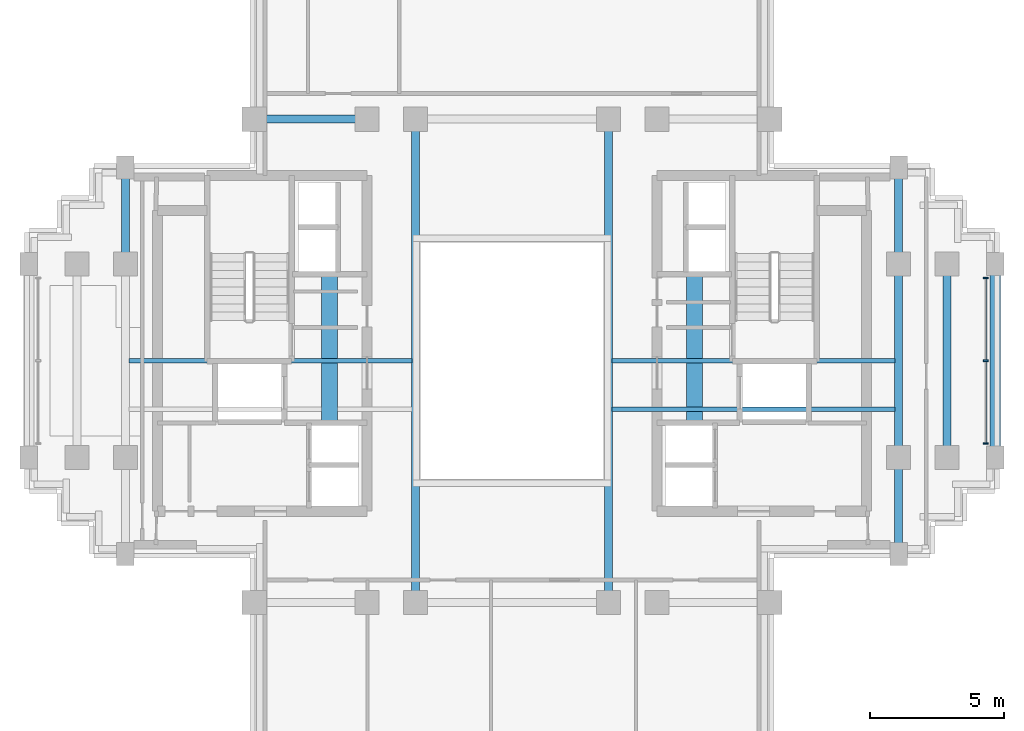
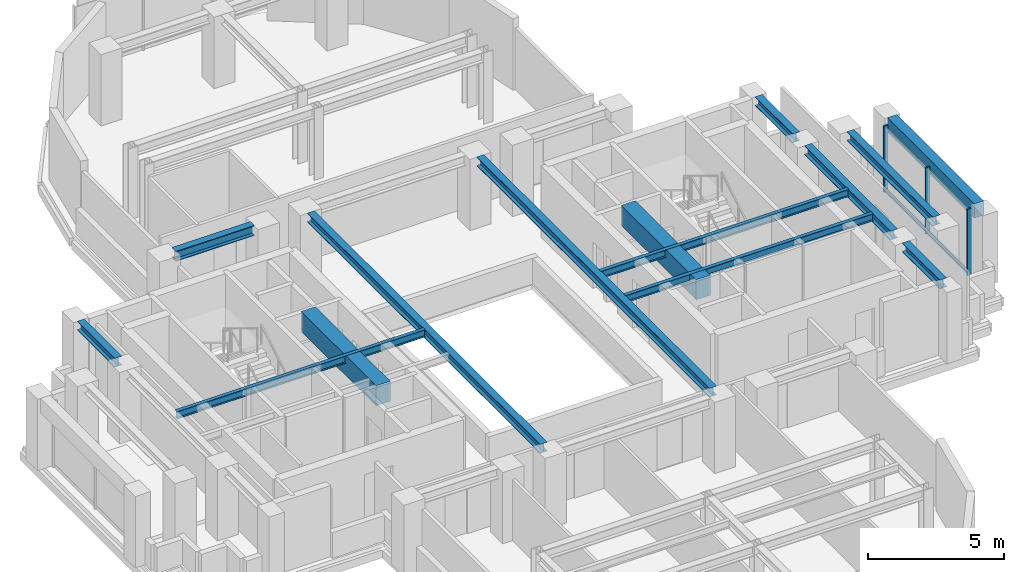
# One storey, part 3 of 11: 14 beams, 5 members, 1 element without a shape of its own.
"""IFC4 building model written with IfcOpenShell, lengths in metres."""

from ifc_helpers import new_model, si_unit, direction, frame, origin, origin_2d, place, context, subcontext, project, spatial, rectangle, i_section, extrude, source, transform, mapped, material, material_profile, profile_set, type_object, element, aggregate, save


model = new_model("IFC4")

# Units and contexts
model_context = context("Model", 3, precision=1e-05, world=origin(), true_north=direction((0.0, 1.0)))
body_context = subcontext(model_context, "Body", "Model", "MODEL_VIEW")
ifc_project = project(units=[si_unit("LENGTHUNIT", "METRE"), si_unit("AREAUNIT", "SQUARE_METRE"), si_unit("VOLUMEUNIT", "CUBIC_METRE"), si_unit("PLANEANGLEUNIT", "RADIAN"), si_unit("MASSUNIT", "GRAM", prefix="KILO")], contexts=[model_context])

# Site, building, storey
site_placement = place(None, origin())
site = spatial("IfcSite", under=ifc_project, at=site_placement, CompositionType="ELEMENT")
building_placement = place(site_placement, origin())
building = spatial("IfcBuilding", under=site, at=building_placement, Name="Keilestroom Media Tower", CompositionType="ELEMENT")
storey_placement = place(building_placement, frame((0.0, 0.0, 160.39990234375)))
storey = spatial("IfcBuildingStorey", under=building, at=storey_placement, Name="L43", CompositionType="ELEMENT", Elevation=160.39990234375)

# Beams
ifc_material_1 = material(Name="Concrete C70/85", Category="concrete")
ifc_material_profile_1 = material_profile(ifc_material_1, rectangle(XDim=0.60009765625, YDim=0.89990234375, at=origin_2d()), Name="RC 600x900")
ifc_profile_set_1 = profile_set([ifc_material_profile_1], Name="Concrete C70/85")
beam_type_1 = type_object("IfcBeamType", Name="Core-Coupling-Lintel-Beam-RC-600x900", PredefinedType="LINTEL", material=ifc_profile_set_1)
shared_shape_1 = source(origin(), body_context, "Body", "SweptSolid", [
    extrude(rectangle(XDim=0.60009765625, YDim=0.89990234375, at=origin_2d()), origin(), (0.0, 0.0, 1.0), 5.52001953125),
])
for number, where, z_axis, x_axis, name in (
    (1, (-6.800048828125, -2.300048828125, 2.75), (0.0, 1.0, 0.0), (-1.0, 0.0, 0.0), "L43 Beam CLB-1 CLB-L43-W"),
    (2, (6.800048828125, -2.300048828125, 2.75), (0.0, 1.0, 0.0), (-1.0, 0.0, 0.0), "L43 Beam CLB-1 CLB-L43-E"),
):
    element("IfcBeam", number, at=place(storey_placement, frame(where, z_axis=z_axis, x_axis=x_axis)), inside=storey, type_object=beam_type_1, Name=name, PredefinedType="LINTEL", context=body_context, shape_type="MappedRepresentation", body=[
        mapped(shared_shape_1, transform((0.0, 0.0, 0.0), x_axis=(1.0, 0.0, 0.0), y_axis=(0.0, 1.0, 0.0), z_axis=(0.0, 0.0, 1.0), scale=1.0)),
    ])
ifc_material_2 = material(Name="Steel S355", Category="steel")
ifc_material_profile_2 = material_profile(ifc_material_2, i_section(OverallWidth=0.300048828125, OverallDepth=0.449951171875, WebThickness=0.011962890625, FlangeThickness=0.02587890625, at=origin_2d()), Name="HEB 450")
ifc_profile_set_2 = profile_set([ifc_material_profile_2], Name="Steel S355")
beam_type_2 = type_object("IfcBeamType", Name="Primary-Structural-Girder-HEB-450", PredefinedType="BEAM", material=ifc_profile_set_2)
shared_shape_2 = source(origin(), body_context, "Body", "SweptSolid", [
    extrude(i_section(OverallWidth=0.300048828125, OverallDepth=0.449951171875, WebThickness=0.011962890625, FlangeThickness=0.02587890625, at=origin_2d()), origin(), (0.0, 0.0, 1.0), 3.33984375),
])
beam_1_placement = place(storey_placement, frame((-9.169921875, 9.0, 2.97509765625), z_axis=(1.0, 0.0, 0.0), x_axis=(0.0, 1.0, 0.0)))
element("IfcBeam", 3, at=beam_1_placement, inside=storey, type_object=beam_type_2, Name="L43 Beam BG-7 BM-L43-EW-020", PredefinedType="BEAM", context=body_context, shape_type="MappedRepresentation", body=[
    mapped(shared_shape_2, transform((0.0, 0.0, 0.0), x_axis=(1.0, 0.0, 0.0), y_axis=(0.0, 1.0, 0.0), z_axis=(0.0, 0.0, 1.0), scale=1.0)),
])
ifc_material_3 = material(Name="Precast concrete C40/50", Category="concrete")
ifc_material_profile_3 = material_profile(ifc_material_3, rectangle(XDim=0.39990234375, YDim=0.64990234375, at=origin_2d()), Name="PC 400x650")
ifc_profile_set_3 = profile_set([ifc_material_profile_3], Name="Precast concrete C40/50")
beam_type_3 = type_object("IfcBeamType", Name="Perimeter-Spandrel-Beam-PC-400x650", PredefinedType="SPANDREL", material=ifc_profile_set_3)
shared_shape_3 = source(origin(), body_context, "Body", "SweptSolid", [
    extrude(rectangle(XDim=0.39990234375, YDim=0.64990234375, at=origin_2d()), origin(), (0.0, 0.0, 1.0), 6.39013671875),
])
beam_2_placement = place(storey_placement, frame((18.0, -3.195068359375, 2.875), z_axis=(0.0, 1.0, 0.0), x_axis=(-1.0, 0.0, 0.0)))
element("IfcBeam", 4, at=beam_2_placement, inside=storey, type_object=beam_type_3, Name="L43 Beam SPB-2 BM-L43-NS-054", PredefinedType="SPANDREL", context=body_context, shape_type="MappedRepresentation", body=[
    mapped(shared_shape_3, transform((0.0, 0.0, 0.0), x_axis=(1.0, 0.0, 0.0), y_axis=(0.0, 1.0, 0.0), z_axis=(0.0, 0.0, 1.0), scale=1.0)),
])
ifc_material_profile_4 = material_profile(ifc_material_2, i_section(OverallWidth=0.300048828125, OverallDepth=0.39990234375, WebThickness=0.011474609375, FlangeThickness=0.02392578125, at=origin_2d()), Name="HEB 400")
ifc_profile_set_4 = profile_set([ifc_material_profile_4], Name="Steel S355")
beam_type_4 = type_object("IfcBeamType", Name="Primary-Structural-Girder-HEB-400", PredefinedType="BEAM", material=ifc_profile_set_4)
shared_shape_4 = source(origin(), body_context, "Body", "SweptSolid", [
    extrude(i_section(OverallWidth=0.300048828125, OverallDepth=0.39990234375, WebThickness=0.011474609375, FlangeThickness=0.02392578125, at=origin_2d()), origin(), (0.0, 0.0, 1.0), 6.33984375),
])
for number, where, z_axis, x_axis, name in (
    (5, (14.39990234375, -3.169921875, 3.0), (0.0, 1.0, 0.0), (-1.0, 0.0, 0.0), "L43 Beam BG-8 BM-L43-NS-051"),
    (6, (16.199951171875, -3.169921875, 3.0), (0.0, 1.0, 0.0), (-1.0, 0.0, 0.0), "L43 Beam BG-8 BM-L43-NS-053"),
):
    element("IfcBeam", number, at=place(storey_placement, frame(where, z_axis=z_axis, x_axis=x_axis)), inside=storey, type_object=beam_type_4, Name=name, PredefinedType="BEAM", context=body_context, shape_type="MappedRepresentation", body=[
        mapped(shared_shape_4, transform((0.0, 0.0, 0.0), x_axis=(1.0, 0.0, 0.0), y_axis=(0.0, 1.0, 0.0), z_axis=(0.0, 0.0, 1.0), scale=1.0)),
    ])
shared_shape_5 = source(origin(), body_context, "Body", "SweptSolid", [
    extrude(i_section(OverallWidth=0.300048828125, OverallDepth=0.39990234375, WebThickness=0.011474609375, FlangeThickness=0.02392578125, at=origin_2d()), origin(), (0.0, 0.0, 1.0), 2.764892578125),
])
for number, where, z_axis, x_axis, name in (
    (7, (-14.39990234375, 4.030029296875, 3.0), (0.0, 1.0, 0.0), (-1.0, 0.0, 0.0), "L43 Beam BG-8 BM-L43-NS-035"),
    (8, (14.39990234375, -6.794921875, 3.0), (0.0, 1.0, 0.0), (-1.0, 0.0, 0.0), "L43 Beam BG-8 BM-L43-NS-050"),
    (9, (14.39990234375, 4.030029296875, 3.0), (0.0, 1.0, 0.0), (-1.0, 0.0, 0.0), "L43 Beam BG-8 BM-L43-NS-052"),
):
    element("IfcBeam", number, at=place(storey_placement, frame(where, z_axis=z_axis, x_axis=x_axis)), inside=storey, type_object=beam_type_4, Name=name, PredefinedType="BEAM", context=body_context, shape_type="MappedRepresentation", body=[
        mapped(shared_shape_5, transform((0.0, 0.0, 0.0), x_axis=(1.0, 0.0, 0.0), y_axis=(0.0, 1.0, 0.0), z_axis=(0.0, 0.0, 1.0), scale=1.0)),
    ])
shared_shape_6 = source(origin(), body_context, "Body", "SweptSolid", [
    extrude(i_section(OverallWidth=0.300048828125, OverallDepth=0.39990234375, WebThickness=0.011474609375, FlangeThickness=0.02392578125, at=origin_2d()), origin(), (0.0, 0.0, 1.0), 17.14013671875),
])
for number, where, z_axis, x_axis, name in (
    (10, (-3.60009765625, -8.570068359375, 3.0), (0.0, 1.0, 0.0), (-1.0, 0.0, 0.0), "L43 Beam BG-8 BM-L43-NS-040"),
    (11, (3.60009765625, -8.570068359375, 3.0), (0.0, 1.0, 0.0), (-1.0, 0.0, 0.0), "L43 Beam BG-8 BM-L43-NS-045"),
):
    element("IfcBeam", number, at=place(storey_placement, frame(where, z_axis=z_axis, x_axis=x_axis)), inside=storey, type_object=beam_type_4, Name=name, PredefinedType="BEAM", context=body_context, shape_type="MappedRepresentation", body=[
        mapped(shared_shape_6, transform((0.0, 0.0, 0.0), x_axis=(1.0, 0.0, 0.0), y_axis=(0.0, 1.0, 0.0), z_axis=(0.0, 0.0, 1.0), scale=1.0)),
    ])
ifc_material_profile_5 = material_profile(ifc_material_2, i_section(OverallWidth=0.159912109375, OverallDepth=0.330078125, WebThickness=0.007568359375, FlangeThickness=0.011474609375, at=origin_2d()), Name="IPE 330")
ifc_profile_set_5 = profile_set([ifc_material_profile_5], Name="Steel S355")
beam_type_5 = type_object("IfcBeamType", Name="Secondary-Floor-Joist-IPE-330", PredefinedType="JOIST", material=ifc_profile_set_5)
shared_shape_7 = source(origin(), body_context, "Body", "SweptSolid", [
    extrude(i_section(OverallWidth=0.159912109375, OverallDepth=0.330078125, WebThickness=0.007568359375, FlangeThickness=0.011474609375, at=origin_2d()), origin(), (0.0, 0.0, 1.0), 10.5400390625),
])
for number, where, z_axis, x_axis, name in (
    (12, (3.72998046875, -1.800048828125, 3.03515625), (1.0, 0.0, 0.0), (0.0, 1.0, 0.0), "L43 Beam BJ-6 JST-L43-059"),
    (13, (-14.27001953125, 0.0, 3.03515625), (1.0, 0.0, 0.0), (0.0, 1.0, 0.0), "L43 Beam BJ-6 JST-L43-060"),
    (14, (3.72998046875, 0.0, 3.03515625), (1.0, 0.0, 0.0), (0.0, 1.0, 0.0), "L43 Beam BJ-6 JST-L43-062"),
):
    element("IfcBeam", number, at=place(storey_placement, frame(where, z_axis=z_axis, x_axis=x_axis)), inside=storey, type_object=beam_type_5, Name=name, PredefinedType="JOIST", context=body_context, shape_type="MappedRepresentation", body=[
        mapped(shared_shape_7, transform((0.0, 0.0, 0.0), x_axis=(1.0, 0.0, 0.0), y_axis=(0.0, 1.0, 0.0), z_axis=(0.0, 0.0, 1.0), scale=1.0)),
    ])

# Curtain wall, members
ifc_material_4 = material(Name="Anodised Aluminium Alloy", Category="aluminium")
curtain_wall_type = type_object("IfcCurtainWallType", Name="Unitised-Curtain-Wall-CW-3", PredefinedType="NOTDEFINED", material=ifc_material_4)
curtain_wall_placement = place(storey_placement, origin())
curtain_wall = element("IfcCurtainWall", 15, at=curtain_wall_placement, inside=storey, type_object=curtain_wall_type, Name="L43 Curtain Wall CW-3 CW-L43-E-1", PredefinedType="NOTDEFINED")
ifc_material_profile_6 = material_profile(ifc_material_4, rectangle(XDim=0.06494140625, YDim=0.179931640625, at=origin_2d()), Name="ALU MULLION 65x180")
ifc_profile_set_6 = profile_set([ifc_material_profile_6], Name="Anodised Aluminium Alloy")
member_type_1 = type_object("IfcMemberType", Name="Curtain-Wall-Mullion-CW-3", PredefinedType="MULLION", material=ifc_profile_set_6)
shared_shape_8 = source(origin(), body_context, "Body", "SweptSolid", [
    extrude(rectangle(XDim=0.06494140625, YDim=0.179931640625, at=origin_2d()), origin(), (0.0, 0.0, 1.0), 2.97998046875),
])
member_1_placement = place(storey_placement, frame((17.64990234375, -3.08251953125, 0.0), z_axis=(0.0, 0.0, 1.0), x_axis=(0.0, 1.0, 0.0)))
member_1 = element("IfcMember", 16, at=member_1_placement, type_object=member_type_1, Name="CW-3 Mullion 00", PredefinedType="MULLION", context=body_context, shape_type="MappedRepresentation", body=[
    mapped(shared_shape_8, transform((0.0, 0.0, 0.0), x_axis=(1.0, 0.0, 0.0), y_axis=(0.0, 1.0, 0.0), z_axis=(0.0, 0.0, 1.0), scale=1.0)),
])
member_2_placement = place(storey_placement, frame((17.64990234375, 0.0, 0.0), z_axis=(0.0, 0.0, 1.0), x_axis=(0.0, 1.0, 0.0)))
member_2 = element("IfcMember", 17, at=member_2_placement, type_object=member_type_1, Name="CW-3 Mullion 01", PredefinedType="MULLION", context=body_context, shape_type="MappedRepresentation", body=[
    mapped(shared_shape_8, transform((0.0, 0.0, 0.0), x_axis=(1.0, 0.0, 0.0), y_axis=(0.0, 1.0, 0.0), z_axis=(0.0, 0.0, 1.0), scale=1.0)),
])
member_3_placement = place(storey_placement, frame((17.64990234375, 3.08251953125, 0.0), z_axis=(0.0, 0.0, 1.0), x_axis=(0.0, 1.0, 0.0)))
member_3 = element("IfcMember", 18, at=member_3_placement, type_object=member_type_1, Name="CW-3 Mullion 02", PredefinedType="MULLION", context=body_context, shape_type="MappedRepresentation", body=[
    mapped(shared_shape_8, transform((0.0, 0.0, 0.0), x_axis=(1.0, 0.0, 0.0), y_axis=(0.0, 1.0, 0.0), z_axis=(0.0, 0.0, 1.0), scale=1.0)),
])
ifc_material_profile_7 = material_profile(ifc_material_4, rectangle(XDim=0.06494140625, YDim=0.14990234375, at=origin_2d()), Name="ALU TRANSOM 65x150")
ifc_profile_set_7 = profile_set([ifc_material_profile_7], Name="Anodised Aluminium Alloy")
member_type_2 = type_object("IfcMemberType", Name="Curtain-Wall-Transom-CW-3", PredefinedType="USERDEFINED", material=ifc_profile_set_7)
shared_shape_9 = source(origin(), body_context, "Body", "SweptSolid", [
    extrude(rectangle(XDim=0.06494140625, YDim=0.14990234375, at=origin_2d()), origin(), (0.0, 0.0, 1.0), 3.021484375),
])
member_4_placement = place(storey_placement, frame((17.64990234375, -3.052001953125, 0.0751953125), z_axis=(0.0, 1.0, 0.0), x_axis=(-1.0, 0.0, 0.0)))
member_4 = element("IfcMember", 19, at=member_4_placement, type_object=member_type_2, Name="CW-3 Transom 00.1", ObjectType="TRANSOM", PredefinedType="USERDEFINED", context=body_context, shape_type="MappedRepresentation", body=[
    mapped(shared_shape_9, transform((0.0, 0.0, 0.0), x_axis=(1.0, 0.0, 0.0), y_axis=(0.0, 1.0, 0.0), z_axis=(0.0, 0.0, 1.0), scale=1.0)),
])
member_5_placement = place(storey_placement, frame((17.64990234375, 0.030517578125, 0.0751953125), z_axis=(0.0, 1.0, 0.0), x_axis=(-1.0, 0.0, 0.0)))
member_5 = element("IfcMember", 20, at=member_5_placement, type_object=member_type_2, Name="CW-3 Transom 01.1", ObjectType="TRANSOM", PredefinedType="USERDEFINED", context=body_context, shape_type="MappedRepresentation", body=[
    mapped(shared_shape_9, transform((0.0, 0.0, 0.0), x_axis=(1.0, 0.0, 0.0), y_axis=(0.0, 1.0, 0.0), z_axis=(0.0, 0.0, 1.0), scale=1.0)),
])
aggregate(curtain_wall, [member_1, member_2, member_3, member_4, member_5])

save(model, "model.ifc")
